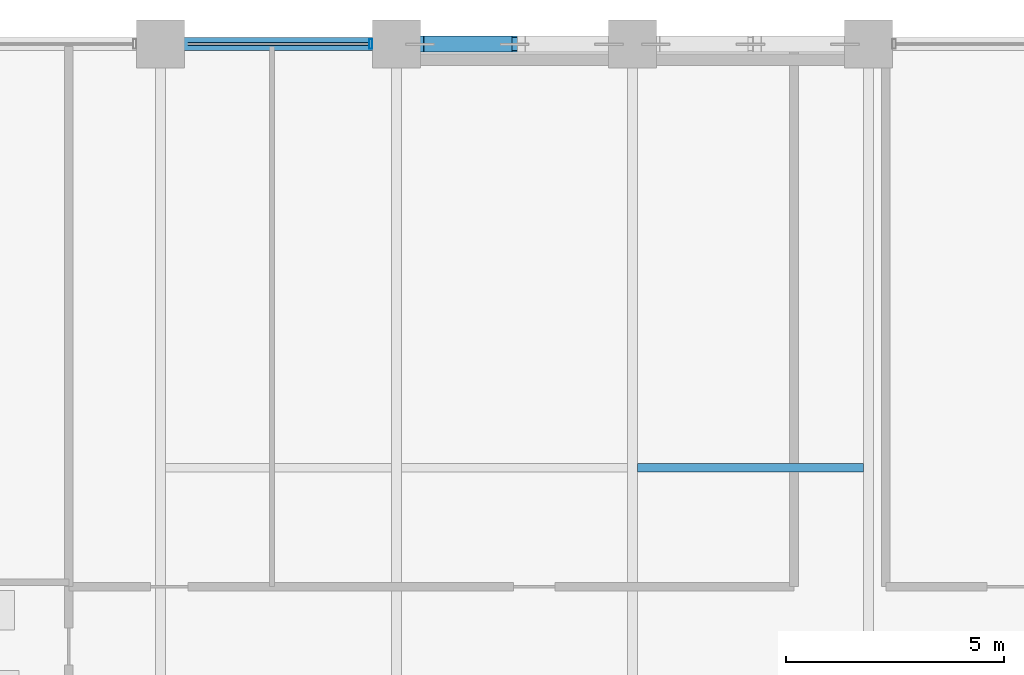
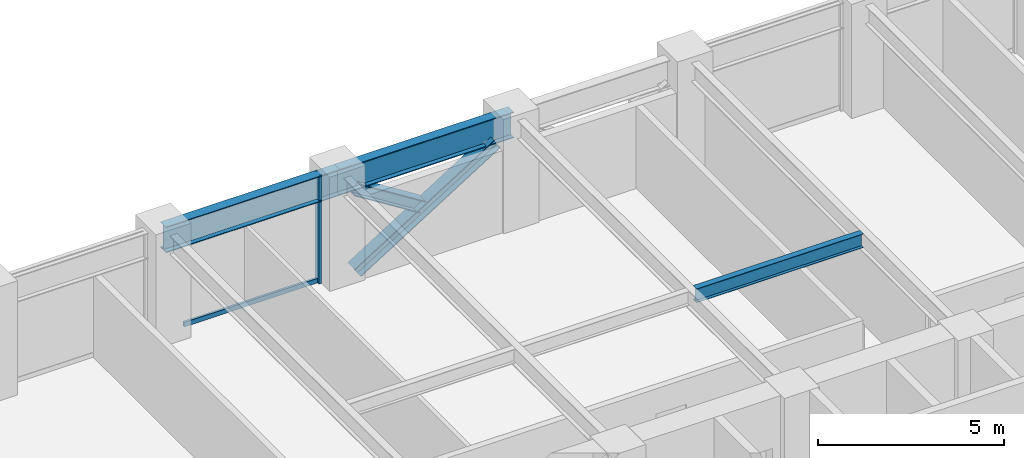
# One storey, part 14 of 25: 4 members, 3 beams, 1 element without a shape of its own.
"""IFC4 building model written with IfcOpenShell, lengths in metres."""

from ifc_helpers import new_model, si_unit, direction, frame, origin, origin_2d, place, context, subcontext, project, spatial, hollow_rectangle, i_section, extrude, material, layer, layer_set, material_profile, profile_set, type_object, element, aggregate, save


model = new_model("IFC4")

# Units and contexts
model_context = context("Model", 3, precision=1e-05, world=origin(), true_north=direction((0.0, 1.0)))
body_context = subcontext(model_context, "Body", "Model", "MODEL_VIEW")
ifc_project = project(units=[si_unit("LENGTHUNIT", "METRE"), si_unit("AREAUNIT", "SQUARE_METRE"), si_unit("VOLUMEUNIT", "CUBIC_METRE"), si_unit("PLANEANGLEUNIT", "RADIAN"), si_unit("MASSUNIT", "GRAM", prefix="KILO")], contexts=[model_context])

# Site, building, storey
site_placement = place(None, origin())
site = spatial("IfcSite", under=ifc_project, at=site_placement, CompositionType="ELEMENT")
building_placement = place(site_placement, origin())
building = spatial("IfcBuilding", under=site, at=building_placement, Name="Surkhivell Harbour Commons", CompositionType="ELEMENT")
storey_placement = place(building_placement, frame((0.0, 0.0, 98.25)))
storey = spatial("IfcBuildingStorey", under=building, at=storey_placement, Name="L25", CompositionType="ELEMENT", Elevation=98.25)

# Beams
ifc_material_1 = material(Name="Steel S355", Category="steel")
ifc_material_profile_1 = material_profile(ifc_material_1, i_section(OverallWidth=0.18994140625, OverallDepth=0.45703125, WebThickness=0.009033203125, FlangeThickness=0.014404296875, at=origin_2d()), Name="UB457x191x74")
ifc_profile_set_1 = profile_set([ifc_material_profile_1], Name="Steel S355")
beam_type_1 = type_object("IfcBeamType", Name="BM-JST-457B", PredefinedType="JOIST", material=ifc_profile_set_1)
beam_1_placement = place(storey_placement, frame((0.113037109375, 16.199951171875, 3.341552734375), z_axis=(1.0, 0.0, 0.0), x_axis=(0.0, 1.0, 0.0)))
element("IfcBeam", 1, at=beam_1_placement, inside=storey, type_object=beam_type_1, Name="L25 North Composite Joist (0.0)", PredefinedType="JOIST", context=body_context, shape_type="SweptSolid", body=[
    extrude(i_section(OverallWidth=0.18994140625, OverallDepth=0.45703125, WebThickness=0.009033203125, FlangeThickness=0.014404296875, at=origin_2d()), origin(), (0.0, 0.0, 1.0), 5.174072265625),
])
ifc_material_2 = material(Name="Steel S460", Category="steel")
ifc_material_profile_2 = material_profile(ifc_material_2, i_section(OverallWidth=0.2939453125, OverallDepth=0.85107421875, WebThickness=0.01611328125, FlangeThickness=0.02685546875, at=origin_2d()), Name="UB838x292x226")
ifc_profile_set_2 = profile_set([ifc_material_profile_2], Name="Steel S460")
beam_type_2 = type_object("IfcBeamType", Name="BM-SPN-838", PredefinedType="SPANDREL", material=ifc_profile_set_2)
beam_2_placement = place(storey_placement, frame((-10.800048828125, 25.89990234375, 3.14453125), z_axis=(1.0, 0.0, 0.0), x_axis=(0.0, 1.0, 0.0)))
element("IfcBeam", 2, at=beam_2_placement, inside=storey, type_object=beam_type_2, Name="L25 Tube Spandrel (-10.8,25.9)", PredefinedType="SPANDREL", context=body_context, shape_type="SweptSolid", body=[
    extrude(i_section(OverallWidth=0.2939453125, OverallDepth=0.85107421875, WebThickness=0.01611328125, FlangeThickness=0.02685546875, at=origin_2d()), origin(), (0.0, 0.0, 1.0), 5.400146484375),
])
beam_3_placement = place(storey_placement, frame((-5.39990234375, 25.89990234375, 3.14453125), z_axis=(1.0, 0.0, 0.0), x_axis=(0.0, 1.0, 0.0)))
element("IfcBeam", 3, at=beam_3_placement, inside=storey, type_object=beam_type_2, Name="L25 Tube Spandrel (-5.4,25.9)", PredefinedType="SPANDREL", context=body_context, shape_type="SweptSolid", body=[
    extrude(i_section(OverallWidth=0.2939453125, OverallDepth=0.85107421875, WebThickness=0.01611328125, FlangeThickness=0.02685546875, at=origin_2d()), origin(), (0.0, 0.0, 1.0), 5.39990234375),
])

# Curtain wall, members
ifc_material_3 = material(Name="Anodised pale-metal aluminium and insulated glazing", Category="aluminium")
ifc_layer = layer(ifc_material_3, 0.205078125)
ifc_layer_set = layer_set([ifc_layer], Name="Anodised pale-metal aluminium and insulated glazing")
curtain_wall_type = type_object("IfcCurtainWallType", Name="CW-SYS-Z2", PredefinedType="NOTDEFINED", material=ifc_layer_set)
curtain_wall_placement = place(storey_placement, origin())
curtain_wall = element("IfcCurtainWall", 4, at=curtain_wall_placement, inside=storey, type_object=curtain_wall_type, Name="L25 Curtain Wall CW-L25-E07S2", PredefinedType="NOTDEFINED")
ifc_material_4 = material(Name="Anodised pale-metal aluminium alloy 6063-T6", Category="aluminium")
ifc_material_profile_3 = material_profile(ifc_material_4, hollow_rectangle(XDim=0.074951171875, YDim=0.219970703125, WallThickness=0.00390625, at=origin_2d()), Name="ALU-MULL-75x220")
ifc_profile_set_3 = profile_set([ifc_material_profile_3], Name="Anodised pale-metal aluminium alloy 6063-T6")
member_type_1 = type_object("IfcMemberType", Name="CWM-220", PredefinedType="MULLION", material=ifc_profile_set_3)
member_1_placement = place(storey_placement, frame((-5.989501953125, 25.89990234375, 0.0), z_axis=(0.0, 0.0, 1.0), x_axis=(-1.0, 0.0, 0.0)))
member_1 = element("IfcMember", 5, at=member_1_placement, type_object=member_type_1, Name="CW-Z2 mullion 1", PredefinedType="MULLION", context=body_context, shape_type="SweptSolid", body=[
    extrude(hollow_rectangle(XDim=0.074951171875, YDim=0.219970703125, WallThickness=0.00390625, at=origin_2d()), origin(), (0.0, 0.0, 1.0), 3.570068359375),
])
ifc_material_profile_4 = material_profile(ifc_material_4, hollow_rectangle(XDim=0.074951171875, YDim=0.14990234375, WallThickness=0.00341796875, at=origin_2d()), Name="ALU-TRAN-75x150")
ifc_profile_set_4 = profile_set([ifc_material_profile_4], Name="Anodised pale-metal aluminium alloy 6063-T6")
member_type_2 = type_object("IfcMemberType", Name="CWT-150", PredefinedType="USERDEFINED", material=ifc_profile_set_4)
member_2_placement = place(storey_placement, frame((-6.027099609375, 25.89990234375, 0.074951171875), z_axis=(-1.0, 0.0, 0.0), x_axis=(0.0, -1.0, 0.0)))
member_2 = element("IfcMember", 6, at=member_2_placement, type_object=member_type_2, Name="CW-Z2 transom 1.1", ObjectType="TRANSOM", PredefinedType="USERDEFINED", context=body_context, shape_type="SweptSolid", body=[
    extrude(hollow_rectangle(XDim=0.074951171875, YDim=0.14990234375, WallThickness=0.00341796875, at=origin_2d()), origin(), (0.0, 0.0, 1.0), 4.14599609375),
])
aggregate(curtain_wall, [member_1, member_2])

# Members
ifc_material_profile_5 = material_profile(ifc_material_2, i_section(OverallWidth=0.375, OverallDepth=0.375, WebThickness=0.0166015625, FlangeThickness=0.027099609375, at=origin_2d()), Name="UC356x368x202")
ifc_profile_set_5 = profile_set([ifc_material_profile_5], Name="Steel S460")
member_type_3 = type_object("IfcMemberType", Name="MEM-BRC-UC356", PredefinedType="BRACE", material=ifc_profile_set_5)
member_3_placement = place(storey_placement, frame((-4.864990234375, 25.89990234375, 0.008056640625), z_axis=(0.847246015888, 0.0, 0.531200704594), x_axis=(0.0, 1.0, 0.0)))
element("IfcMember", 7, at=member_3_placement, inside=storey, type_object=member_type_3, Name="L25 Perimeter Mega-Brace MB- 01", PredefinedType="BRACE", context=body_context, shape_type="SweptSolid", body=[
    extrude(i_section(OverallWidth=0.375, OverallDepth=0.375, WebThickness=0.0166015625, FlangeThickness=0.027099609375, at=origin_2d()), origin(), (0.0, 0.0, 1.0), 5.11083984375),
])
member_4_placement = place(storey_placement, frame((-2.8525390625, 25.89990234375, 1.461181640625), z_axis=(-0.84725256761, 0.0, 0.53119025469), x_axis=(0.0, -1.0, 0.0)))
element("IfcMember", 8, at=member_4_placement, inside=storey, type_object=member_type_3, Name="L25 Perimeter Mega-Brace MB- 03", PredefinedType="BRACE", context=body_context, shape_type="SweptSolid", body=[
    extrude(i_section(OverallWidth=0.375, OverallDepth=0.375, WebThickness=0.0166015625, FlangeThickness=0.027099609375, at=origin_2d()), origin(), (0.0, 0.0, 1.0), 2.375244140625),
])

save(model, "model.ifc")
